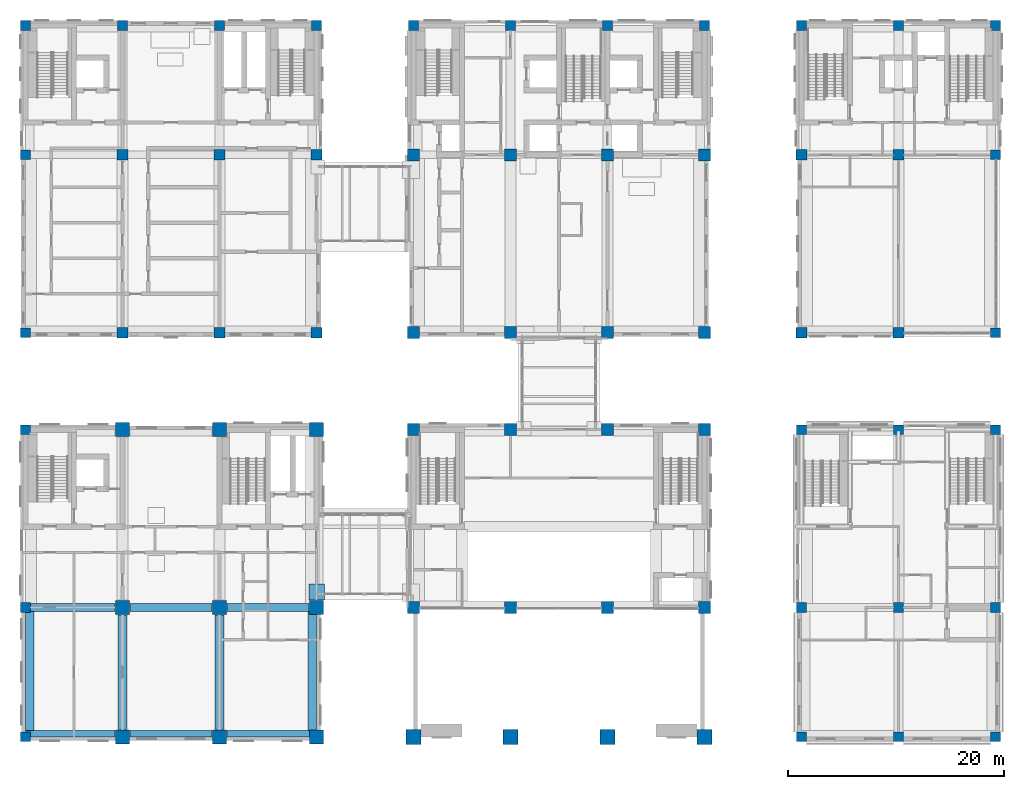
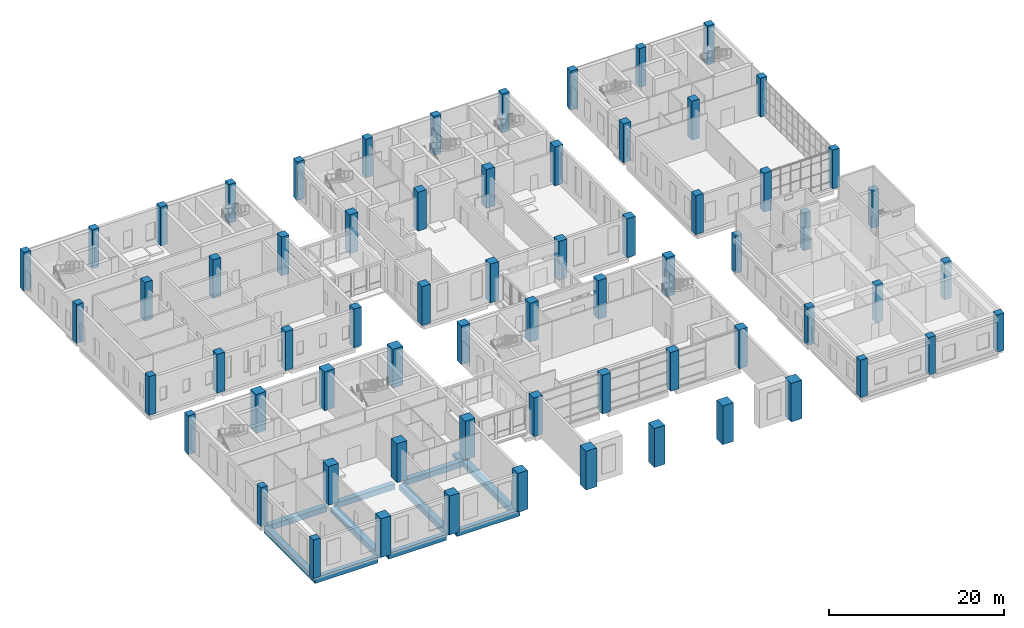
# One storey, part 1 of 52: 66 columns, 10 beams, 1 member.
"""IFC4 building model written with IfcOpenShell, lengths in metres."""

from ifc_helpers import new_model, si_unit, direction, frame, origin, origin_with_axes, origin_2d, place, context, subcontext, project, spatial, rectangle, extrude, material, material_profile, profile_set, type_object, element, save


model = new_model("IFC4")

# Units and contexts
model_context = context("Model", 3, precision=1e-05, world=origin(), true_north=direction((0.0, 1.0)))
body_context = subcontext(model_context, "Body", "Model", "MODEL_VIEW")
ifc_project = project(units=[si_unit("LENGTHUNIT", "METRE"), si_unit("AREAUNIT", "SQUARE_METRE"), si_unit("VOLUMEUNIT", "CUBIC_METRE"), si_unit("PLANEANGLEUNIT", "RADIAN"), si_unit("MASSUNIT", "GRAM", prefix="KILO")], contexts=[model_context])

# Site, building, storey
site_placement = place(None, origin())
site = spatial("IfcSite", under=ifc_project, at=site_placement, CompositionType="ELEMENT")
building_placement = place(site_placement, origin())
building = spatial("IfcBuilding", under=site, at=building_placement, Name="Aurelan Courthouse", CompositionType="ELEMENT")
storey_placement = place(building_placement, frame((0.0, 0.0, 6.60009765625)))
storey = spatial("IfcBuildingStorey", under=building, at=storey_placement, Name="L01", CompositionType="ELEMENT", Elevation=6.60009765625)

# Columns
ifc_material = material(Name="Concrete C50", Category="concrete")
ifc_material_profile_1 = material_profile(ifc_material, rectangle(XDim=1.0, YDim=1.0, at=origin_2d()), Name="RC 1000 x 1000")
ifc_profile_set_1 = profile_set([ifc_material_profile_1], Name="Concrete C50")
column_type_1 = type_object("IfcColumnType", Name="RC column 1000 x 1000 C50", PredefinedType="COLUMN", material=ifc_profile_set_1)
for number, where, z_axis, x_axis, name in (
    (1, (9.0, 37.5, 0.0), (0.0, 0.0, 1.0), (1.0, 0.0, 0.0), "Column C-D2-A"),
    (2, (18.0, 37.5, 0.0), (0.0, 0.0, 1.0), (1.0, 0.0, 0.0), "Column C-D3-A"),
    (3, (27.0, 37.5, 0.0), (0.0, 0.0, 1.0), (1.0, 0.0, 0.0), "Column C-D4-A"),
    (4, (72.0, 37.5, 0.0), (0.0, 0.0, 1.0), (1.0, 0.0, 0.0), "Column C-D9-A"),
    (5, (81.0, 37.5, 0.0), (0.0, 0.0, 1.0), (1.0, 0.0, 0.0), "Column C-D10-A"),
    (6, (9.0, 54.0, 0.0), (0.0, 0.0, 1.0), (1.0, 0.0, 0.0), "Column C-E2-A"),
    (7, (18.0, 54.0, 0.0), (0.0, 0.0, 1.0), (1.0, 0.0, 0.0), "Column C-E3-A"),
    (8, (27.0, 54.0, 0.0), (0.0, 0.0, 1.0), (1.0, 0.0, 0.0), "Column C-E4-A"),
    (9, (72.0, 54.0, 0.0), (0.0, 0.0, 1.0), (1.0, 0.0, 0.0), "Column C-E9-A"),
    (10, (81.0, 54.0, 0.0), (0.0, 0.0, 1.0), (1.0, 0.0, 0.0), "Column C-E10-A"),
):
    element("IfcColumn", number, at=place(storey_placement, frame(where, z_axis=z_axis, x_axis=x_axis)), inside=storey, type_object=column_type_1, Name=name, PredefinedType="COLUMN", context=body_context, shape_type="SweptSolid", body=[
        extrude(rectangle(XDim=1.0, YDim=1.0, at=origin_2d()), origin(), (0.0, 0.0, 1.0), 5.39990234375),
    ])
ifc_material_profile_2 = material_profile(ifc_material, rectangle(XDim=1.10009765625, YDim=1.10009765625, at=origin_2d()), Name="RC 1100 x 1100")
ifc_profile_set_2 = profile_set([ifc_material_profile_2], Name="Concrete C50")
column_type_2 = type_object("IfcColumnType", Name="RC column 1100 x 1100 C50", PredefinedType="COLUMN", material=ifc_profile_set_2)
for number, where, z_axis, x_axis, name in (
    (11, (36.0, 12.0, 0.0), (0.0, 0.0, 1.0), (1.0, 0.0, 0.0), "Column C-B5-A"),
    (12, (45.0, 12.0, 0.0), (0.0, 0.0, 1.0), (1.0, 0.0, 0.0), "Column C-B6-A"),
    (13, (54.0, 12.0, 0.0), (0.0, 0.0, 1.0), (1.0, 0.0, 0.0), "Column C-B7-A"),
    (14, (63.0, 12.0, 0.0), (0.0, 0.0, 1.0), (1.0, 0.0, 0.0), "Column C-B8-A"),
    (15, (36.0, 28.5, 0.0), (0.0, 0.0, 1.0), (1.0, 0.0, 0.0), "Column C-C5-A"),
    (16, (45.0, 28.5, 0.0), (0.0, 0.0, 1.0), (1.0, 0.0, 0.0), "Column C-C6-A"),
    (17, (54.0, 28.5, 0.0), (0.0, 0.0, 1.0), (1.0, 0.0, 0.0), "Column C-C7-A"),
    (18, (63.0, 28.5, 0.0), (0.0, 0.0, 1.0), (1.0, 0.0, 0.0), "Column C-C8-A"),
    (19, (36.0, 37.5, 0.0), (0.0, 0.0, 1.0), (1.0, 0.0, 0.0), "Column C-D5-A"),
    (20, (45.0, 37.5, 0.0), (0.0, 0.0, 1.0), (1.0, 0.0, 0.0), "Column C-D6-A"),
    (21, (54.0, 37.5, 0.0), (0.0, 0.0, 1.0), (1.0, 0.0, 0.0), "Column C-D7-A"),
    (22, (63.0, 37.5, 0.0), (0.0, 0.0, 1.0), (1.0, 0.0, 0.0), "Column C-D8-A"),
    (23, (36.0, 54.0, 0.0), (0.0, 0.0, 1.0), (1.0, 0.0, 0.0), "Column C-E5-A"),
    (24, (45.0, 54.0, 0.0), (0.0, 0.0, 1.0), (1.0, 0.0, 0.0), "Column C-E6-A"),
    (25, (54.0, 54.0, 0.0), (0.0, 0.0, 1.0), (1.0, 0.0, 0.0), "Column C-E7-A"),
    (26, (63.0, 54.0, 0.0), (0.0, 0.0, 1.0), (1.0, 0.0, 0.0), "Column C-E8-A"),
):
    element("IfcColumn", number, at=place(storey_placement, frame(where, z_axis=z_axis, x_axis=x_axis)), inside=storey, type_object=column_type_2, Name=name, PredefinedType="COLUMN", context=body_context, shape_type="SweptSolid", body=[
        extrude(rectangle(XDim=1.10009765625, YDim=1.10009765625, at=origin_2d()), origin(), (0.0, 0.0, 1.0), 5.39990234375),
    ])
ifc_material_profile_3 = material_profile(ifc_material, rectangle(XDim=1.300048828125, YDim=1.300048828125, at=origin_2d()), Name="RC 1300 x 1300")
ifc_profile_set_3 = profile_set([ifc_material_profile_3], Name="Concrete C50")
column_type_3 = type_object("IfcColumnType", Name="RC column 1300 x 1300 C50", PredefinedType="COLUMN", material=ifc_profile_set_3)
for number, where, z_axis, x_axis, name in (
    (27, (9.0, 0.0, 0.0), (0.0, 0.0, 1.0), (1.0, 0.0, 0.0), "Column C-A2-B"),
    (28, (18.0, 0.0, 0.0), (0.0, 0.0, 1.0), (1.0, 0.0, 0.0), "Column C-A3-B"),
    (29, (27.0, 0.0, 0.0), (0.0, 0.0, 1.0), (1.0, 0.0, 0.0), "Column C-A4-B"),
    (30, (9.0, 12.0, 0.0), (0.0, 0.0, 1.0), (1.0, 0.0, 0.0), "Column C-B2-B"),
    (31, (18.0, 12.0, 0.0), (0.0, 0.0, 1.0), (1.0, 0.0, 0.0), "Column C-B3-B"),
    (32, (27.0, 12.0, 0.0), (0.0, 0.0, 1.0), (1.0, 0.0, 0.0), "Column C-B4-B"),
    (33, (9.0, 28.5, 0.0), (0.0, 0.0, 1.0), (1.0, 0.0, 0.0), "Column C-C2-B"),
    (34, (18.0, 28.5, 0.0), (0.0, 0.0, 1.0), (1.0, 0.0, 0.0), "Column C-C3-B"),
    (35, (27.0, 28.5, 0.0), (0.0, 0.0, 1.0), (1.0, 0.0, 0.0), "Column C-C4-B"),
):
    element("IfcColumn", number, at=place(storey_placement, frame(where, z_axis=z_axis, x_axis=x_axis)), inside=storey, type_object=column_type_3, Name=name, PredefinedType="COLUMN", context=body_context, shape_type="SweptSolid", body=[
        extrude(rectangle(XDim=1.300048828125, YDim=1.300048828125, at=origin_2d()), origin(), (0.0, 0.0, 1.0), 5.39990234375),
    ])
ifc_material_profile_4 = material_profile(ifc_material, rectangle(XDim=1.39990234375, YDim=1.39990234375, at=origin_2d()), Name="RC 1400 x 1400")
ifc_profile_set_4 = profile_set([ifc_material_profile_4], Name="Concrete C50")
column_type_4 = type_object("IfcColumnType", Name="RC column 1400 x 1400 C50", PredefinedType="COLUMN", material=ifc_profile_set_4)
for number, where, z_axis, x_axis, name in (
    (36, (36.0, 0.0, 0.0), (0.0, 0.0, 1.0), (1.0, 0.0, 0.0), "Column C-A5-A"),
    (37, (45.0, 0.0, 0.0), (0.0, 0.0, 1.0), (1.0, 0.0, 0.0), "Column C-A6-A"),
    (38, (54.0, 0.0, 0.0), (0.0, 0.0, 1.0), (1.0, 0.0, 0.0), "Column C-A7-A"),
    (39, (63.0, 0.0, 0.0), (0.0, 0.0, 1.0), (1.0, 0.0, 0.0), "Column C-A8-A"),
):
    element("IfcColumn", number, at=place(storey_placement, frame(where, z_axis=z_axis, x_axis=x_axis)), inside=storey, type_object=column_type_4, Name=name, PredefinedType="COLUMN", context=body_context, shape_type="SweptSolid", body=[
        extrude(rectangle(XDim=1.39990234375, YDim=1.39990234375, at=origin_2d()), origin(), (0.0, 0.0, 1.0), 5.39990234375),
    ])
ifc_material_profile_5 = material_profile(ifc_material, rectangle(XDim=0.89990234375, YDim=0.89990234375, at=origin_2d()), Name="RC 900 x 900")
ifc_profile_set_5 = profile_set([ifc_material_profile_5], Name="Concrete C50")
column_type_5 = type_object("IfcColumnType", Name="RC column 900 x 900 C50", PredefinedType="COLUMN", material=ifc_profile_set_5)
column_1_placement = place(storey_placement, origin_with_axes())
element("IfcColumn", 40, at=column_1_placement, inside=storey, type_object=column_type_5, Name="Column C-A1-B", PredefinedType="COLUMN", context=body_context, shape_type="SweptSolid", body=[
    extrude(rectangle(XDim=0.89990234375, YDim=0.89990234375, at=origin_2d()), origin(), (0.0, 0.0, 1.0), 5.39990234375),
])
for number, where, z_axis, x_axis, name in (
    (41, (72.0, 0.0, 0.0), (0.0, 0.0, 1.0), (1.0, 0.0, 0.0), "Column C-A9-A"),
    (42, (81.0, 0.0, 0.0), (0.0, 0.0, 1.0), (1.0, 0.0, 0.0), "Column C-A10-A"),
    (43, (90.0, 0.0, 0.0), (0.0, 0.0, 1.0), (1.0, 0.0, 0.0), "Column C-A11-A"),
):
    element("IfcColumn", number, at=place(storey_placement, frame(where, z_axis=z_axis, x_axis=x_axis)), inside=storey, type_object=column_type_5, Name=name, PredefinedType="COLUMN", context=body_context, shape_type="SweptSolid", body=[
        extrude(rectangle(XDim=0.89990234375, YDim=0.89990234375, at=origin_2d()), origin(), (0.0, 0.0, 1.0), 5.201904296875),
    ])
column_2_placement = place(storey_placement, frame((0.0, 12.0, 0.0), z_axis=(0.0, 0.0, 1.0), x_axis=(1.0, 0.0, 0.0)))
element("IfcColumn", 44, at=column_2_placement, inside=storey, type_object=column_type_5, Name="Column C-B1-B", PredefinedType="COLUMN", context=body_context, shape_type="SweptSolid", body=[
    extrude(rectangle(XDim=0.89990234375, YDim=0.89990234375, at=origin_2d()), origin(), (0.0, 0.0, 1.0), 5.39990234375),
])
for number, where, z_axis, x_axis, name in (
    (45, (72.0, 12.0, 0.0), (0.0, 0.0, 1.0), (1.0, 0.0, 0.0), "Column C-B9-A"),
    (46, (81.0, 12.0, 0.0), (0.0, 0.0, 1.0), (1.0, 0.0, 0.0), "Column C-B10-A"),
    (47, (90.0, 12.0, 0.0), (0.0, 0.0, 1.0), (1.0, 0.0, 0.0), "Column C-B11-A"),
):
    element("IfcColumn", number, at=place(storey_placement, frame(where, z_axis=z_axis, x_axis=x_axis)), inside=storey, type_object=column_type_5, Name=name, PredefinedType="COLUMN", context=body_context, shape_type="SweptSolid", body=[
        extrude(rectangle(XDim=0.89990234375, YDim=0.89990234375, at=origin_2d()), origin(), (0.0, 0.0, 1.0), 5.201904296875),
    ])
column_3_placement = place(storey_placement, frame((0.0, 28.5, 0.0), z_axis=(0.0, 0.0, 1.0), x_axis=(1.0, 0.0, 0.0)))
element("IfcColumn", 48, at=column_3_placement, inside=storey, type_object=column_type_5, Name="Column C-C1-B", PredefinedType="COLUMN", context=body_context, shape_type="SweptSolid", body=[
    extrude(rectangle(XDim=0.89990234375, YDim=0.89990234375, at=origin_2d()), origin(), (0.0, 0.0, 1.0), 5.39990234375),
])
for number, where, z_axis, x_axis, name in (
    (49, (72.0, 28.5, 0.0), (0.0, 0.0, 1.0), (1.0, 0.0, 0.0), "Column C-C9-A"),
    (50, (81.0, 28.5, 0.0), (0.0, 0.0, 1.0), (1.0, 0.0, 0.0), "Column C-C10-A"),
    (51, (90.0, 28.5, 0.0), (0.0, 0.0, 1.0), (1.0, 0.0, 0.0), "Column C-C11-A"),
):
    element("IfcColumn", number, at=place(storey_placement, frame(where, z_axis=z_axis, x_axis=x_axis)), inside=storey, type_object=column_type_5, Name=name, PredefinedType="COLUMN", context=body_context, shape_type="SweptSolid", body=[
        extrude(rectangle(XDim=0.89990234375, YDim=0.89990234375, at=origin_2d()), origin(), (0.0, 0.0, 1.0), 5.201904296875),
    ])
for number, where, z_axis, x_axis, name in (
    (52, (0.0, 37.5, 0.0), (0.0, 0.0, 1.0), (1.0, 0.0, 0.0), "Column C-D1-A"),
    (53, (90.0, 37.5, 0.0), (0.0, 0.0, 1.0), (1.0, 0.0, 0.0), "Column C-D11-A"),
    (54, (0.0, 54.0, 0.0), (0.0, 0.0, 1.0), (1.0, 0.0, 0.0), "Column C-E1-A"),
    (55, (90.0, 54.0, 0.0), (0.0, 0.0, 1.0), (1.0, 0.0, 0.0), "Column C-E11-A"),
    (56, (0.0, 66.0, 0.0), (0.0, 0.0, 1.0), (1.0, 0.0, 0.0), "Column C-F1-A"),
    (57, (9.0, 66.0, 0.0), (0.0, 0.0, 1.0), (1.0, 0.0, 0.0), "Column C-F2-A"),
    (58, (18.0, 66.0, 0.0), (0.0, 0.0, 1.0), (1.0, 0.0, 0.0), "Column C-F3-A"),
    (59, (27.0, 66.0, 0.0), (0.0, 0.0, 1.0), (1.0, 0.0, 0.0), "Column C-F4-A"),
    (60, (36.0, 66.0, 0.0), (0.0, 0.0, 1.0), (1.0, 0.0, 0.0), "Column C-F5-A"),
    (61, (45.0, 66.0, 0.0), (0.0, 0.0, 1.0), (1.0, 0.0, 0.0), "Column C-F6-A"),
    (62, (54.0, 66.0, 0.0), (0.0, 0.0, 1.0), (1.0, 0.0, 0.0), "Column C-F7-A"),
    (63, (63.0, 66.0, 0.0), (0.0, 0.0, 1.0), (1.0, 0.0, 0.0), "Column C-F8-A"),
    (64, (72.0, 66.0, 0.0), (0.0, 0.0, 1.0), (1.0, 0.0, 0.0), "Column C-F9-A"),
    (65, (81.0, 66.0, 0.0), (0.0, 0.0, 1.0), (1.0, 0.0, 0.0), "Column C-F10-A"),
    (66, (90.0, 66.0, 0.0), (0.0, 0.0, 1.0), (1.0, 0.0, 0.0), "Column C-F11-A"),
):
    element("IfcColumn", number, at=place(storey_placement, frame(where, z_axis=z_axis, x_axis=x_axis)), inside=storey, type_object=column_type_5, Name=name, PredefinedType="COLUMN", context=body_context, shape_type="SweptSolid", body=[
        extrude(rectangle(XDim=0.89990234375, YDim=0.89990234375, at=origin_2d()), origin(), (0.0, 0.0, 1.0), 5.39990234375),
    ])

# Member
member_type = type_object("IfcMemberType", Name="Corbel 1450 x 1500 x 450", PredefinedType="USERDEFINED", material=ifc_material)
member_placement = place(storey_placement, frame((27.02490234375, 13.449951171875, -1.25), z_axis=(0.0, 0.0, 1.0), x_axis=(1.0, 0.0, 0.0)))
element("IfcMember", 67, at=member_placement, inside=storey, type_object=member_type, Name="Corbel CO-1", ObjectType="CORBEL", PredefinedType="USERDEFINED", context=body_context, shape_type="SweptSolid", body=[
    extrude(rectangle(XDim=1.449951171875, YDim=1.5, at=origin_2d()), origin(), (0.0, 0.0, 1.0), 0.449951171875),
])

# Beams
ifc_material_profile_6 = material_profile(ifc_material, rectangle(XDim=0.699951171875, YDim=0.75, at=origin_2d()), Name="RC 700 x 750")
ifc_profile_set_6 = profile_set([ifc_material_profile_6], Name="Concrete C50")
beam_type_1 = type_object("IfcBeamType", Name="PT beam 700 x 750", PredefinedType="BEAM", material=ifc_profile_set_6)
beam_1_placement = place(storey_placement, frame((0.449951171875, 12.0, -0.675048828125), z_axis=(1.0, 0.0, 0.0), x_axis=(0.0, 1.0, 0.0)))
element("IfcBeam", 68, at=beam_1_placement, inside=storey, type_object=beam_type_1, Name="Beam EB-B-1-2", PredefinedType="BEAM", context=body_context, shape_type="SweptSolid", body=[
    extrude(rectangle(XDim=0.699951171875, YDim=0.75, at=origin_2d()), origin(), (0.0, 0.0, 1.0), 7.85009765625),
])
for number, where, z_axis, x_axis, name in (
    (69, (9.699951171875, 12.0, -0.675048828125), (1.0, 0.0, 0.0), (0.0, 1.0, 0.0), "Beam EB-B-2-3"),
    (70, (18.699951171875, 12.0, -0.675048828125), (1.0, 0.0, 0.0), (0.0, 1.0, 0.0), "Beam EB-B-3-4"),
):
    element("IfcBeam", number, at=place(storey_placement, frame(where, z_axis=z_axis, x_axis=x_axis)), inside=storey, type_object=beam_type_1, Name=name, PredefinedType="BEAM", context=body_context, shape_type="SweptSolid", body=[
        extrude(rectangle(XDim=0.699951171875, YDim=0.75, at=origin_2d()), origin(), (0.0, 0.0, 1.0), 7.60009765625),
    ])
ifc_material_profile_7 = material_profile(ifc_material, rectangle(XDim=0.800048828125, YDim=0.75, at=origin_2d()), Name="RC 800 x 750")
ifc_profile_set_7 = profile_set([ifc_material_profile_7], Name="Concrete C50")
beam_type_2 = type_object("IfcBeamType", Name="PT girder 800 x 750", PredefinedType="BEAM", material=ifc_profile_set_7)
beam_2_placement = place(storey_placement, frame((0.39990234375, 0.60009765625, -0.675048828125), z_axis=(0.0, 1.0, 0.0), x_axis=(-1.0, 0.0, 0.0)))
element("IfcBeam", 71, at=beam_2_placement, inside=storey, type_object=beam_type_2, Name="Girder GB-1AB-E", PredefinedType="BEAM", context=body_context, shape_type="SweptSolid", body=[
    extrude(rectangle(XDim=0.800048828125, YDim=0.75, at=origin_2d()), origin(), (0.0, 0.0, 1.0), 11.0498046875),
])
for number, where, z_axis, x_axis, name in (
    (72, (9.0, 0.699951171875, -0.675048828125), (0.0, 1.0, 0.0), (-1.0, 0.0, 0.0), "Girder GB-2AB"),
    (73, (18.0, 0.699951171875, -0.675048828125), (0.0, 1.0, 0.0), (-1.0, 0.0, 0.0), "Girder GB-3AB"),
):
    element("IfcBeam", number, at=place(storey_placement, frame(where, z_axis=z_axis, x_axis=x_axis)), inside=storey, type_object=beam_type_2, Name=name, PredefinedType="BEAM", context=body_context, shape_type="SweptSolid", body=[
        extrude(rectangle(XDim=0.800048828125, YDim=0.75, at=origin_2d()), origin(), (0.0, 0.0, 1.0), 10.60009765625),
    ])
beam_3_placement = place(storey_placement, frame((26.60009765625, 0.60009765625, -0.675048828125), z_axis=(0.0, 1.0, 0.0), x_axis=(-1.0, 0.0, 0.0)))
element("IfcBeam", 74, at=beam_3_placement, inside=storey, type_object=beam_type_2, Name="Girder GB-4AB-E", PredefinedType="BEAM", context=body_context, shape_type="SweptSolid", body=[
    extrude(rectangle(XDim=0.800048828125, YDim=0.75, at=origin_2d()), origin(), (0.0, 0.0, 1.0), 11.0498046875),
])
ifc_material_profile_8 = material_profile(ifc_material, rectangle(XDim=0.60009765625, YDim=0.800048828125, at=origin_2d()), Name="RC 600 x 800")
ifc_profile_set_8 = profile_set([ifc_material_profile_8], Name="Concrete C50")
beam_type_3 = type_object("IfcBeamType", Name="RC spandrel beam 600 x 800", PredefinedType="SPANDREL", material=ifc_profile_set_8)
beam_4_placement = place(storey_placement, frame((0.0, 0.300048828125, -0.7001953125), z_axis=(1.0, 0.0, 0.0), x_axis=(0.0, 1.0, 0.0)))
element("IfcBeam", 75, at=beam_4_placement, inside=storey, type_object=beam_type_3, Name="Spandrel beam SB-A-1-2", PredefinedType="SPANDREL", context=body_context, shape_type="SweptSolid", body=[
    extrude(rectangle(XDim=0.60009765625, YDim=0.800048828125, at=origin_2d()), origin(), (0.0, 0.0, 1.0), 8.300048828125),
])
beam_5_placement = place(storey_placement, frame((9.699951171875, 0.300048828125, -0.7001953125), z_axis=(1.0, 0.0, 0.0), x_axis=(0.0, 1.0, 0.0)))
element("IfcBeam", 76, at=beam_5_placement, inside=storey, type_object=beam_type_3, Name="Spandrel beam SB-A-2-3", PredefinedType="SPANDREL", context=body_context, shape_type="SweptSolid", body=[
    extrude(rectangle(XDim=0.60009765625, YDim=0.800048828125, at=origin_2d()), origin(), (0.0, 0.0, 1.0), 7.60009765625),
])
beam_6_placement = place(storey_placement, frame((18.699951171875, 0.300048828125, -0.7001953125), z_axis=(1.0, 0.0, 0.0), x_axis=(0.0, 1.0, 0.0)))
element("IfcBeam", 77, at=beam_6_placement, inside=storey, type_object=beam_type_3, Name="Spandrel beam SB-A-3-4", PredefinedType="SPANDREL", context=body_context, shape_type="SweptSolid", body=[
    extrude(rectangle(XDim=0.60009765625, YDim=0.800048828125, at=origin_2d()), origin(), (0.0, 0.0, 1.0), 8.300048828125),
])

save(model, "model.ifc")
